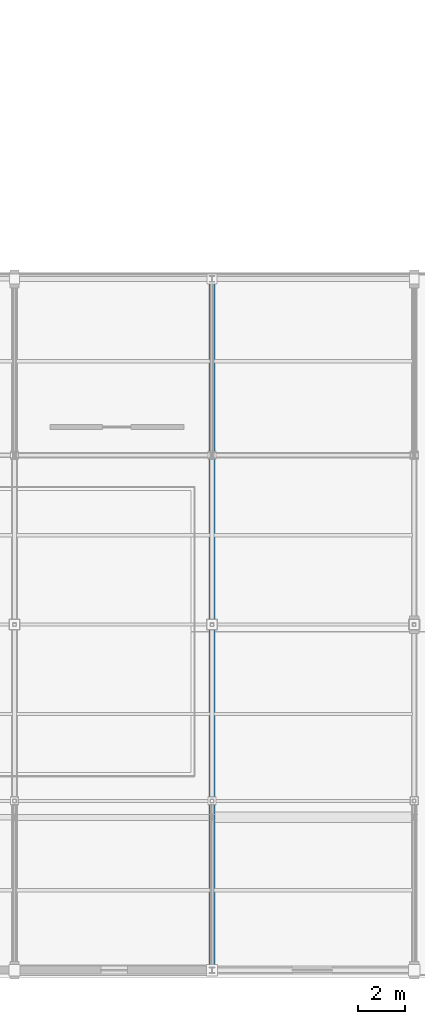
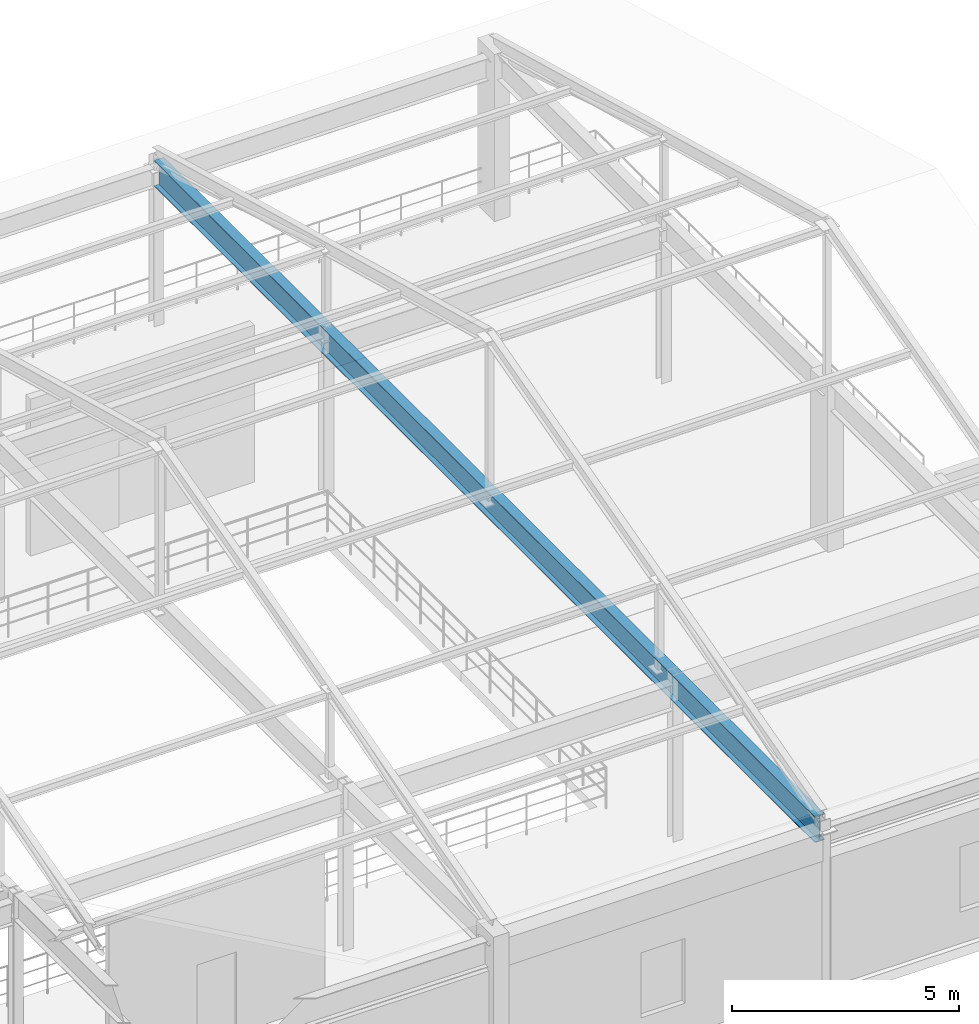
# One storey, part 30 of 112: 1 beam.
"""IFC4 building model written with IfcOpenShell, lengths in metres."""

from ifc_helpers import new_model, si_unit, direction, frame, origin, origin_2d, place, context, subcontext, project, spatial, i_section, extrude, material, material_profile, profile_set, type_object, element, save


model = new_model("IFC4")

# Units and contexts
model_context = context("Model", 3, precision=1e-05, world=origin(), true_north=direction((0.0, 1.0)))
body_context = subcontext(model_context, "Body", "Model", "MODEL_VIEW")
ifc_project = project(units=[si_unit("LENGTHUNIT", "METRE"), si_unit("AREAUNIT", "SQUARE_METRE"), si_unit("VOLUMEUNIT", "CUBIC_METRE"), si_unit("PLANEANGLEUNIT", "RADIAN"), si_unit("MASSUNIT", "GRAM", prefix="KILO")], contexts=[model_context])

# Site, building, storey
site_placement = place(None, origin())
site = spatial("IfcSite", under=ifc_project, at=site_placement, CompositionType="ELEMENT")
building_placement = place(site_placement, origin())
building = spatial("IfcBuilding", under=site, at=building_placement, Name="Cinderbank Siding Concert Hall", CompositionType="ELEMENT")
storey_placement = place(building_placement, frame((0.0, 0.0, 10.199951171875)))
storey = spatial("IfcBuildingStorey", under=building, at=storey_placement, Name="L03", CompositionType="ELEMENT", Elevation=10.199951171875)

# Beam
ifc_material = material(Name="Structural steel welded plate section AS/NZS 3679.2 / AS/NZS 3678 Grade 350 (340 MPa)", Category="steel")
ifc_material_profile = material_profile(ifc_material, i_section(OverallWidth=0.25, OverallDepth=0.699951171875, WebThickness=0.011962890625, FlangeThickness=0.02001953125, at=origin_2d()), Name="700WB150", Category="LoadBearing")
ifc_profile_set = profile_set([ifc_material_profile], Name="Structural steel welded plate section AS/NZS 3679.2 / AS/NZS 3678 Grade 350 (340 MPa)")
beam_type = type_object("IfcBeamType", Name="BM-WB700H 700WB150", PredefinedType="BEAM", material=ifc_profile_set)
beam_placement = place(storey_placement, frame((37.39990234375, 6.218994140625, 4.130126953125), z_axis=(0.0, 1.0, 0.0), x_axis=(-1.0, 0.0, 0.0)))
element("IfcBeam", 1, at=beam_placement, inside=storey, type_object=beam_type, Name="L03 Beam BM-WB700H #20", PredefinedType="BEAM", context=body_context, shape_type="SweptSolid", body=[
    extrude(i_section(OverallWidth=0.25, OverallDepth=0.699951171875, WebThickness=0.011962890625, FlangeThickness=0.02001953125, at=origin_2d()), origin(), (0.0, 0.0, 1.0), 29.162109375),
])

save(model, "model.ifc")
